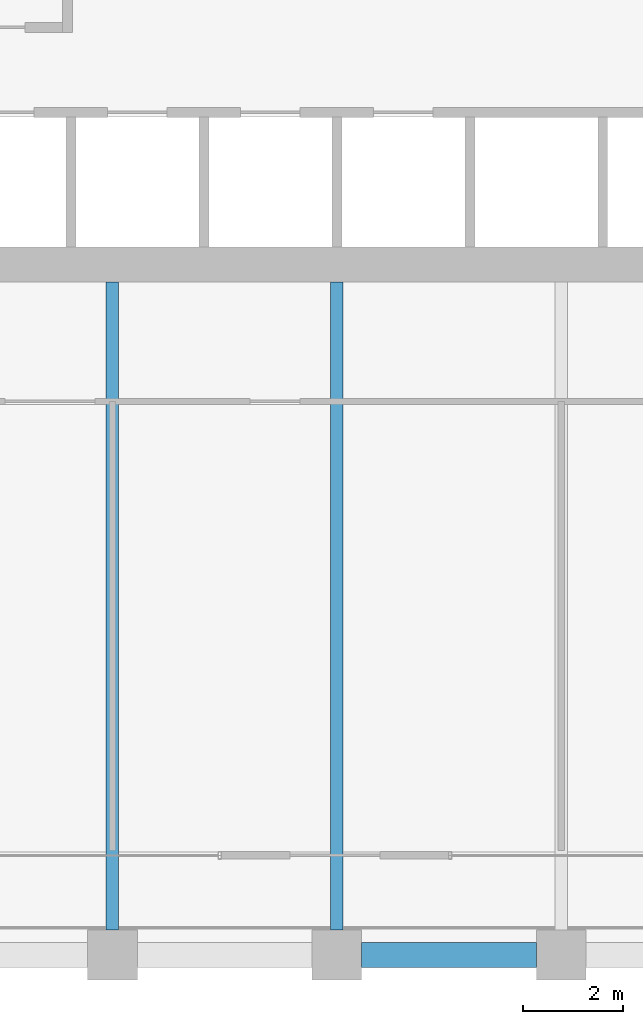
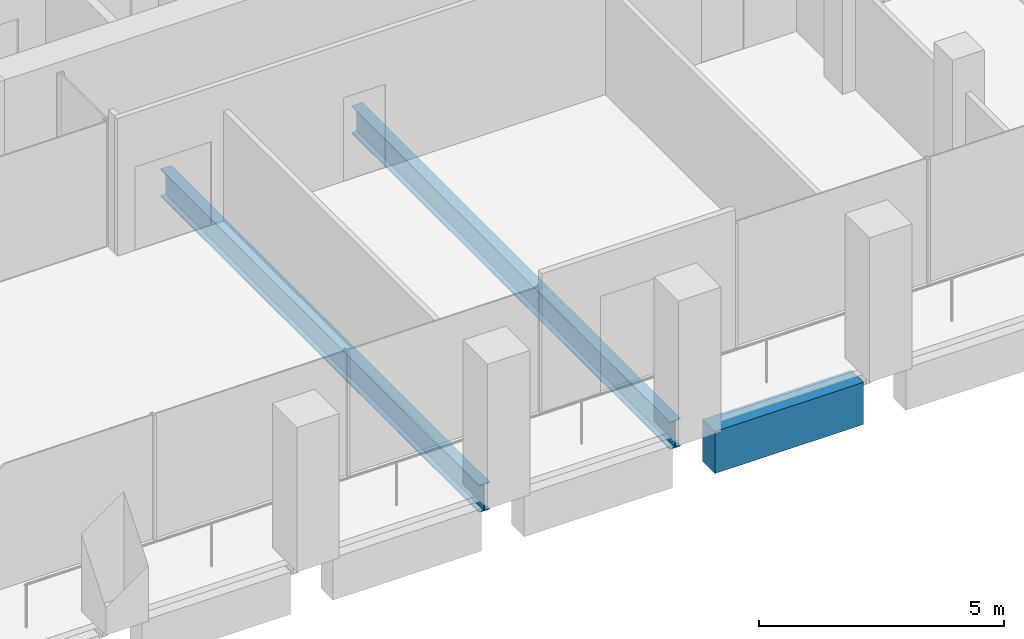
# One storey, part 8 of 46: 3 beams.
"""IFC4 building model written with IfcOpenShell, lengths in metres."""

from ifc_helpers import new_model, si_unit, direction, frame, origin, origin_2d, place, context, subcontext, project, spatial, rectangle, i_section, extrude, material, material_profile, profile_set, type_object, element, save


model = new_model("IFC4")

# Units and contexts
model_context = context("Model", 3, precision=1e-05, world=origin(), true_north=direction((0.0, 1.0)))
body_context = subcontext(model_context, "Body", "Model", "MODEL_VIEW")
ifc_project = project(units=[si_unit("LENGTHUNIT", "METRE"), si_unit("AREAUNIT", "SQUARE_METRE"), si_unit("VOLUMEUNIT", "CUBIC_METRE"), si_unit("PLANEANGLEUNIT", "RADIAN"), si_unit("MASSUNIT", "GRAM", prefix="KILO")], contexts=[model_context])

# Site, building, storey
site_placement = place(None, origin())
site = spatial("IfcSite", under=ifc_project, at=site_placement, CompositionType="ELEMENT")
building_placement = place(site_placement, origin())
building = spatial("IfcBuilding", under=site, at=building_placement, Name="Altepetl Exchange Towers", CompositionType="ELEMENT")
storey_placement = place(building_placement, frame((0.0, 0.0, 120.800048828125)))
storey = spatial("IfcBuildingStorey", under=building, at=storey_placement, Name="L29", CompositionType="ELEMENT", Elevation=120.800048828125)

# Beams
ifc_material_1 = material(Name="Steel S355", Category="steel")
ifc_material_profile_1 = material_profile(ifc_material_1, i_section(OverallWidth=0.25390625, OverallDepth=0.68408203125, WebThickness=0.012451171875, FlangeThickness=0.018798828125, at=origin_2d()), Name="W27X94")
ifc_profile_set_1 = profile_set([ifc_material_profile_1], Name="Steel S355")
beam_type_1 = type_object("IfcBeamType", Name="Floor beam W27X94", PredefinedType="BEAM", material=ifc_profile_set_1)
for number, where, z_axis, x_axis, name in (
    (1, (45.0, 27.5, -0.491943359375), (0.0, 1.0, 0.0), (-1.0, 0.0, 0.0), "bm:A:L29:015"),
    (2, (49.5, 27.5, -0.491943359375), (0.0, 1.0, 0.0), (-1.0, 0.0, 0.0), "bm:A:L29:016"),
):
    element("IfcBeam", number, at=place(storey_placement, frame(where, z_axis=z_axis, x_axis=x_axis)), inside=storey, type_object=beam_type_1, Name=name, PredefinedType="BEAM", context=body_context, shape_type="SweptSolid", body=[
        extrude(i_section(OverallWidth=0.25390625, OverallDepth=0.68408203125, WebThickness=0.012451171875, FlangeThickness=0.018798828125, at=origin_2d()), origin(), (0.0, 0.0, 1.0), 13.0),
    ])
ifc_material_2 = material(Name="Concrete C50/60 precast with cantera blanca facing", Category="concrete")
ifc_material_profile_2 = material_profile(ifc_material_2, rectangle(XDim=0.5, YDim=1.050048828125, at=origin_2d()), Name="500 x 1050")
ifc_profile_set_2 = profile_set([ifc_material_profile_2], Name="Concrete C50/60 precast with cantera blanca facing")
beam_type_2 = type_object("IfcBeamType", Name="Spandrel beam 500x1050 cantera blanca", PredefinedType="SPANDREL", material=ifc_profile_set_2)
beam_placement = place(storey_placement, frame((50.0, 27.0, -0.675048828125), z_axis=(1.0, 0.0, 0.0), x_axis=(0.0, 1.0, 0.0)))
element("IfcBeam", 3, at=beam_placement, inside=storey, type_object=beam_type_2, Name="sp:A:L29:004", PredefinedType="SPANDREL", context=body_context, shape_type="SweptSolid", body=[
    extrude(rectangle(XDim=0.5, YDim=1.050048828125, at=origin_2d()), origin(), (0.0, 0.0, 1.0), 3.5),
])

save(model, "model.ifc")
